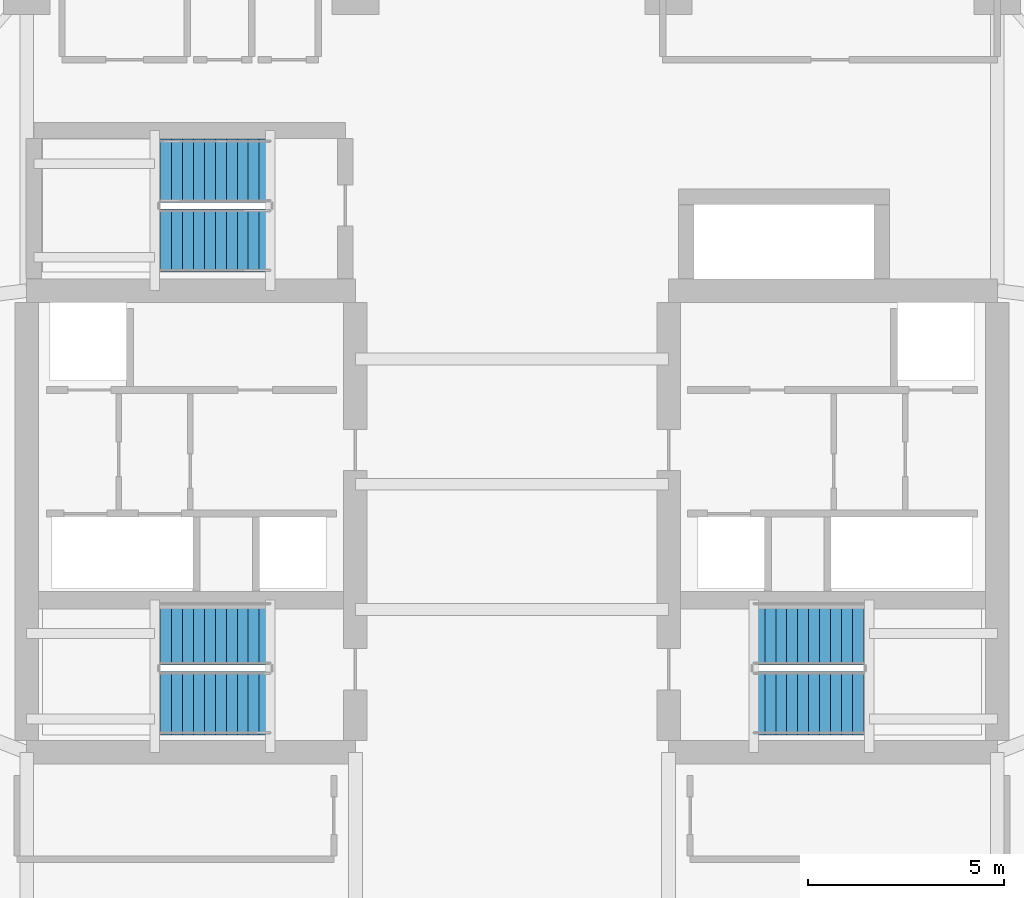
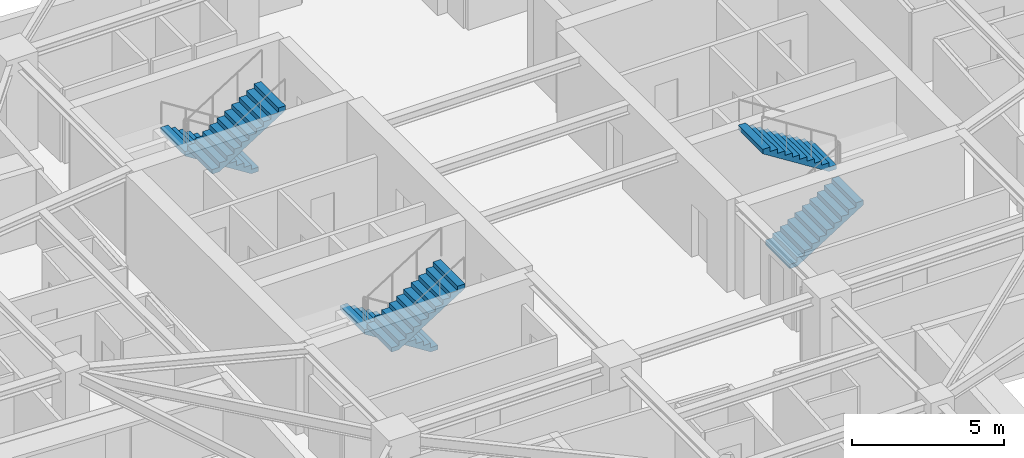
# One storey, part 9 of 14: 6 stair flights, 3 elements without a shape of their own.
"""IFC4 building model written with IfcOpenShell, lengths in metres."""

from ifc_helpers import new_model, si_unit, direction, frame, origin, place, context, subcontext, project, spatial, polyline, outline, extrude, material, layer, layer_set, type_object, element, aggregate, save


model = new_model("IFC4")

# Units and contexts
model_context = context("Model", 3, precision=1e-05, world=origin(), true_north=direction((0.0, 1.0)))
body_context = subcontext(model_context, "Body", "Model", "MODEL_VIEW")
ifc_project = project(units=[si_unit("LENGTHUNIT", "METRE"), si_unit("AREAUNIT", "SQUARE_METRE"), si_unit("VOLUMEUNIT", "CUBIC_METRE"), si_unit("PLANEANGLEUNIT", "RADIAN"), si_unit("MASSUNIT", "GRAM", prefix="KILO")], contexts=[model_context])

# Site, building, storey
site_placement = place(None, origin())
site = spatial("IfcSite", under=ifc_project, at=site_placement, CompositionType="ELEMENT")
building_placement = place(site_placement, origin())
building = spatial("IfcBuilding", under=site, at=building_placement, Name="Qingluan Cross Belvedere", CompositionType="ELEMENT")
storey_placement = place(building_placement, frame((0.0, 0.0, 156.60009765625)))
storey = spatial("IfcBuildingStorey", under=building, at=storey_placement, Name="L39", CompositionType="ELEMENT", Elevation=156.60009765625)

# Stair, stair flights
ifc_material_1 = material(Name="Concrete C40", Category="concrete")
stair_type = type_object("IfcStairType", Name="CoreDoglegStair_1620", PredefinedType="HALF_TURN_STAIR", material=ifc_material_1)
stair_1_placement = place(storey_placement, origin())
stair_1 = element("IfcStair", 1, at=stair_1_placement, inside=storey, type_object=stair_type, Name="L39 ST1", PredefinedType="HALF_TURN_STAIR")
ifc_material_2 = material(Name="Concrete C40", Category="concrete")
ifc_layer = layer(ifc_material_2, 0.179931640625, Name="StairFlight_RC180")
ifc_layer_set = layer_set([ifc_layer], Name="Concrete C40")
stair_flight_type = type_object("IfcStairFlightType", Name="StairFlight_RC180", PredefinedType="STRAIGHT", material=ifc_layer_set)
stair_flight_1_placement = place(storey_placement, frame((-6.179931640625, -3.81005859375, 0.0), z_axis=(0.0, 0.0, 1.0), x_axis=(-1.0, 0.0, 0.0)))
stair_flight_1 = element("IfcStairFlight", 2, at=stair_flight_1_placement, type_object=stair_flight_type, Name="ST1 flight 1", NumberOfRisers=11, NumberOfTreads=10, PredefinedType="STRAIGHT", RiserHeight=0.177272727, TreadLength=0.28, context=body_context, shape_type="SweptSolid", body=[
    extrude(outline(polyline([(0.0, 0.0), (0.0, 0.17724609375), (0.280029296875, 0.17724609375), (0.280029296875, 0.3544921875), (0.56005859375, 0.3544921875), (0.56005859375, 0.53173828125), (0.840087890625, 0.53173828125), (0.840087890625, 0.708984375), (1.1201171875, 0.708984375), (1.1201171875, 0.886474609375), (1.39990234375, 0.886474609375), (1.39990234375, 1.063720703125), (1.679931640625, 1.063720703125), (1.679931640625, 1.240966796875), (1.9599609375, 1.240966796875), (1.9599609375, 1.418212890625), (2.239990234375, 1.418212890625), (2.239990234375, 1.595458984375), (2.52001953125, 1.595458984375), (2.52001953125, 1.772705078125), (2.800048828125, 1.772705078125), (2.800048828125, 1.949951171875), (2.800048828125, 1.59521484375), (0.2802734375, 0.0), (0.0, 0.0)])), frame((0.0, 0.81005859375, 0.0), z_axis=(0.0, -1.0, 0.0), x_axis=(1.0, 0.0, 0.0)), (0.0, 0.0, 1.0), 1.6201171875),
])
stair_flight_2_placement = place(storey_placement, frame((-8.97998046875, -5.590087890625, 1.949951171875), z_axis=(0.0, 0.0, 1.0), x_axis=(1.0, 0.0, 0.0)))
stair_flight_2 = element("IfcStairFlight", 3, at=stair_flight_2_placement, type_object=stair_flight_type, Name="ST1 flight 2", NumberOfRisers=11, NumberOfTreads=10, PredefinedType="STRAIGHT", RiserHeight=0.177272727, TreadLength=0.28, context=body_context, shape_type="SweptSolid", body=[
    extrude(outline(polyline([(0.0, 0.0), (0.0, 0.17724609375), (0.280029296875, 0.17724609375), (0.280029296875, 0.3544921875), (0.56005859375, 0.3544921875), (0.56005859375, 0.53173828125), (0.840087890625, 0.53173828125), (0.840087890625, 0.708984375), (1.1201171875, 0.708984375), (1.1201171875, 0.886474609375), (1.39990234375, 0.886474609375), (1.39990234375, 1.063720703125), (1.679931640625, 1.063720703125), (1.679931640625, 1.240966796875), (1.9599609375, 1.240966796875), (1.9599609375, 1.418212890625), (2.239990234375, 1.418212890625), (2.239990234375, 1.595458984375), (2.52001953125, 1.595458984375), (2.52001953125, 1.772705078125), (2.800048828125, 1.772705078125), (2.800048828125, 1.949951171875), (2.800048828125, 1.59521484375), (0.2802734375, 0.0), (0.0, 0.0)])), frame((0.0, 0.81005859375, 0.0), z_axis=(0.0, -1.0, 0.0), x_axis=(1.0, 0.0, 0.0)), (0.0, 0.0, 1.0), 1.6201171875),
])
aggregate(stair_1, [stair_flight_1, stair_flight_2])

stair_2_placement = place(storey_placement, origin())
stair_2 = element("IfcStair", 4, at=stair_2_placement, inside=storey, type_object=stair_type, Name="L39 ST2", PredefinedType="HALF_TURN_STAIR")
stair_flight_3_placement = place(storey_placement, frame((6.179931640625, -5.590087890625, 0.0), z_axis=(0.0, 0.0, 1.0), x_axis=(1.0, 0.0, 0.0)))
stair_flight_3 = element("IfcStairFlight", 5, at=stair_flight_3_placement, type_object=stair_flight_type, Name="ST2 flight 1", NumberOfRisers=11, NumberOfTreads=10, PredefinedType="STRAIGHT", RiserHeight=0.177272727, TreadLength=0.28, context=body_context, shape_type="SweptSolid", body=[
    extrude(outline(polyline([(0.0, 0.0), (0.0, 0.17724609375), (0.280029296875, 0.17724609375), (0.280029296875, 0.3544921875), (0.56005859375, 0.3544921875), (0.56005859375, 0.53173828125), (0.840087890625, 0.53173828125), (0.840087890625, 0.708984375), (1.1201171875, 0.708984375), (1.1201171875, 0.886474609375), (1.39990234375, 0.886474609375), (1.39990234375, 1.063720703125), (1.679931640625, 1.063720703125), (1.679931640625, 1.240966796875), (1.9599609375, 1.240966796875), (1.9599609375, 1.418212890625), (2.239990234375, 1.418212890625), (2.239990234375, 1.595458984375), (2.52001953125, 1.595458984375), (2.52001953125, 1.772705078125), (2.800048828125, 1.772705078125), (2.800048828125, 1.949951171875), (2.800048828125, 1.59521484375), (0.2802734375, 0.0), (0.0, 0.0)])), frame((0.0, 0.81005859375, 0.0), z_axis=(0.0, -1.0, 0.0), x_axis=(1.0, 0.0, 0.0)), (0.0, 0.0, 1.0), 1.6201171875),
])
stair_flight_4_placement = place(storey_placement, frame((8.97998046875, -3.81005859375, 1.949951171875), z_axis=(0.0, 0.0, 1.0), x_axis=(-1.0, 0.0, 0.0)))
stair_flight_4 = element("IfcStairFlight", 6, at=stair_flight_4_placement, type_object=stair_flight_type, Name="ST2 flight 2", NumberOfRisers=11, NumberOfTreads=10, PredefinedType="STRAIGHT", RiserHeight=0.177272727, TreadLength=0.28, context=body_context, shape_type="SweptSolid", body=[
    extrude(outline(polyline([(0.0, 0.0), (0.0, 0.17724609375), (0.280029296875, 0.17724609375), (0.280029296875, 0.3544921875), (0.56005859375, 0.3544921875), (0.56005859375, 0.53173828125), (0.840087890625, 0.53173828125), (0.840087890625, 0.708984375), (1.1201171875, 0.708984375), (1.1201171875, 0.886474609375), (1.39990234375, 0.886474609375), (1.39990234375, 1.063720703125), (1.679931640625, 1.063720703125), (1.679931640625, 1.240966796875), (1.9599609375, 1.240966796875), (1.9599609375, 1.418212890625), (2.239990234375, 1.418212890625), (2.239990234375, 1.595458984375), (2.52001953125, 1.595458984375), (2.52001953125, 1.772705078125), (2.800048828125, 1.772705078125), (2.800048828125, 1.949951171875), (2.800048828125, 1.59521484375), (0.2802734375, 0.0), (0.0, 0.0)])), frame((0.0, 0.81005859375, 0.0), z_axis=(0.0, -1.0, 0.0), x_axis=(1.0, 0.0, 0.0)), (0.0, 0.0, 1.0), 1.6201171875),
])
aggregate(stair_2, [stair_flight_3, stair_flight_4])

stair_3_placement = place(storey_placement, origin())
stair_3 = element("IfcStair", 7, at=stair_3_placement, inside=storey, type_object=stair_type, Name="L39 ST3", PredefinedType="HALF_TURN_STAIR")
stair_flight_5_placement = place(storey_placement, frame((-6.179931640625, 8.010009765625, 0.0), z_axis=(0.0, 0.0, 1.0), x_axis=(-1.0, 0.0, 0.0)))
stair_flight_5 = element("IfcStairFlight", 8, at=stair_flight_5_placement, type_object=stair_flight_type, Name="ST3 flight 1", NumberOfRisers=11, NumberOfTreads=10, PredefinedType="STRAIGHT", RiserHeight=0.177272727, TreadLength=0.28, context=body_context, shape_type="SweptSolid", body=[
    extrude(outline(polyline([(0.0, 0.0), (0.0, 0.17724609375), (0.280029296875, 0.17724609375), (0.280029296875, 0.3544921875), (0.56005859375, 0.3544921875), (0.56005859375, 0.53173828125), (0.840087890625, 0.53173828125), (0.840087890625, 0.708984375), (1.1201171875, 0.708984375), (1.1201171875, 0.886474609375), (1.39990234375, 0.886474609375), (1.39990234375, 1.063720703125), (1.679931640625, 1.063720703125), (1.679931640625, 1.240966796875), (1.9599609375, 1.240966796875), (1.9599609375, 1.418212890625), (2.239990234375, 1.418212890625), (2.239990234375, 1.595458984375), (2.52001953125, 1.595458984375), (2.52001953125, 1.772705078125), (2.800048828125, 1.772705078125), (2.800048828125, 1.949951171875), (2.800048828125, 1.59521484375), (0.2802734375, 0.0), (0.0, 0.0)])), frame((0.0, 0.81005859375, 0.0), z_axis=(0.0, -1.0, 0.0), x_axis=(1.0, 0.0, 0.0)), (0.0, 0.0, 1.0), 1.6201171875),
])
stair_flight_6_placement = place(storey_placement, frame((-8.97998046875, 6.22998046875, 1.949951171875), z_axis=(0.0, 0.0, 1.0), x_axis=(1.0, 0.0, 0.0)))
stair_flight_6 = element("IfcStairFlight", 9, at=stair_flight_6_placement, type_object=stair_flight_type, Name="ST3 flight 2", NumberOfRisers=11, NumberOfTreads=10, PredefinedType="STRAIGHT", RiserHeight=0.177272727, TreadLength=0.28, context=body_context, shape_type="SweptSolid", body=[
    extrude(outline(polyline([(0.0, 0.0), (0.0, 0.17724609375), (0.280029296875, 0.17724609375), (0.280029296875, 0.3544921875), (0.56005859375, 0.3544921875), (0.56005859375, 0.53173828125), (0.840087890625, 0.53173828125), (0.840087890625, 0.708984375), (1.1201171875, 0.708984375), (1.1201171875, 0.886474609375), (1.39990234375, 0.886474609375), (1.39990234375, 1.063720703125), (1.679931640625, 1.063720703125), (1.679931640625, 1.240966796875), (1.9599609375, 1.240966796875), (1.9599609375, 1.418212890625), (2.239990234375, 1.418212890625), (2.239990234375, 1.595458984375), (2.52001953125, 1.595458984375), (2.52001953125, 1.772705078125), (2.800048828125, 1.772705078125), (2.800048828125, 1.949951171875), (2.800048828125, 1.59521484375), (0.2802734375, 0.0), (0.0, 0.0)])), frame((0.0, 0.81005859375, 0.0), z_axis=(0.0, -1.0, 0.0), x_axis=(1.0, 0.0, 0.0)), (0.0, 0.0, 1.0), 1.6201171875),
])
aggregate(stair_3, [stair_flight_5, stair_flight_6])

save(model, "model.ifc")
